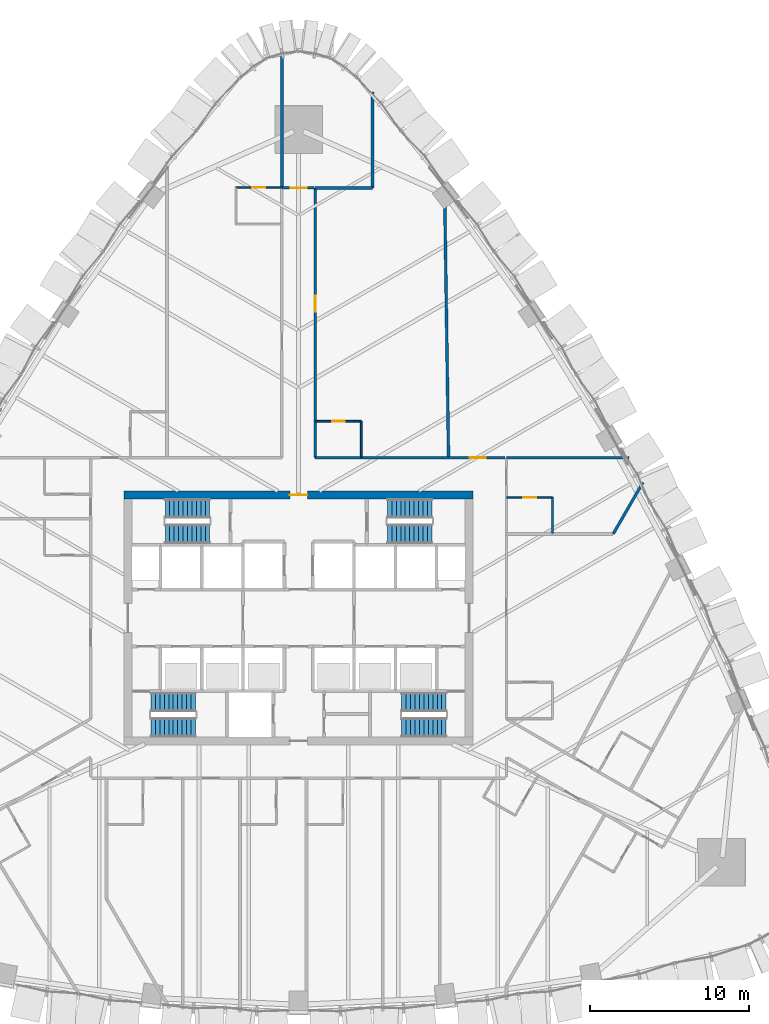
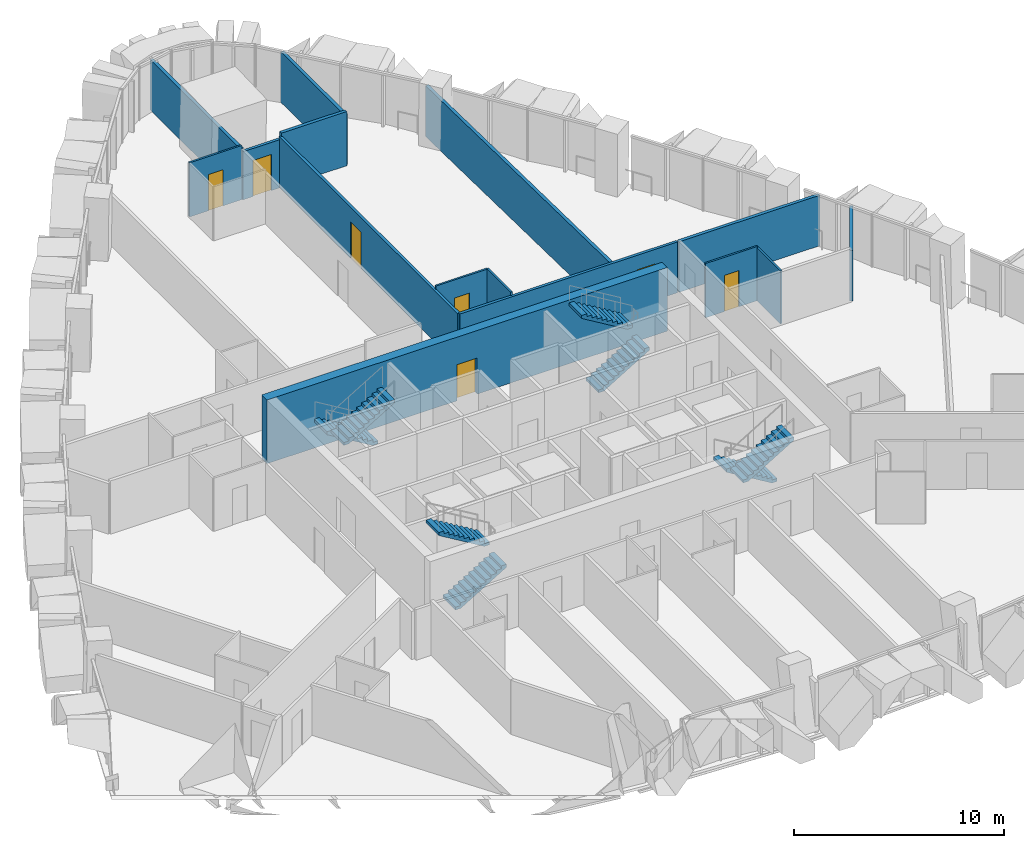
# One storey, part 17 of 22: 15 walls, 8 stair flights, 7 doors, 7 openings, 4 elements without a shape of their own.
"""IFC4 building model written with IfcOpenShell, lengths in metres."""

from ifc_helpers import new_model, si_unit, direction, frame, frame_2d, origin, place, context, subcontext, project, spatial, polyline, rectangle, outline, extrude, material, layer, layer_set, type_object, element, fill, aggregate, save


model = new_model("IFC4")

# Units and contexts
model_context = context("Model", 3, precision=1e-05, world=origin(), true_north=direction((0.0, 1.0)))
body_context = subcontext(model_context, "Body", "Model", "MODEL_VIEW")
ifc_project = project(units=[si_unit("LENGTHUNIT", "METRE"), si_unit("AREAUNIT", "SQUARE_METRE"), si_unit("VOLUMEUNIT", "CUBIC_METRE"), si_unit("PLANEANGLEUNIT", "RADIAN"), si_unit("MASSUNIT", "GRAM", prefix="KILO")], contexts=[model_context])

# Site, building, storey
site_placement = place(None, origin())
site = spatial("IfcSite", under=ifc_project, at=site_placement, CompositionType="ELEMENT")
building_placement = place(site_placement, origin())
building = spatial("IfcBuilding", under=site, at=building_placement, Name="Sierra Prisma Convention Tower", CompositionType="ELEMENT")
storey_placement = place(building_placement, frame((0.0, 0.0, 66.5)))
storey = spatial("IfcBuildingStorey", under=building, at=storey_placement, Name="L12", CompositionType="ELEMENT", Elevation=66.5)

# Wall, opening, door
ifc_material_1 = material(Name="Gypsum board partition", Category="gypsum")
ifc_layer_1 = layer(ifc_material_1, 0.10009765625)
ifc_layer_set_1 = layer_set([ifc_layer_1], Name="Bathroom partition 100")
wall_type_1 = type_object("IfcWallType", Name="Bathroom partition 100", PredefinedType="PARTITIONING", material=ifc_layer_set_1)
wall_1_placement = place(storey_placement, frame((-3.949951171875, 27.12255859375, 0.0), z_axis=(0.0, 0.0, 1.0), x_axis=(1.0, 0.0, 0.0)))
wall_1 = element("IfcWall", 1, at=wall_1_placement, inside=storey, type_object=wall_type_1, Name="Partition L12 bath 17", PredefinedType="PARTITIONING", context=body_context, shape_type="SweptSolid", body=[
    extrude(rectangle(XDim=2.869873046875, YDim=0.10009765625, at=frame_2d((1.43505859375, 0.0))), origin(), (0.0, 0.0, 1.0), 3.14990234375),
])
opening_1_placement = place(wall_1_placement, frame((1.034912109375, 0.0, 0.0)))
opening_1 = element("IfcOpeningElement", 2, at=opening_1_placement, cuts=wall_1, Name="Opening L12-D003", PredefinedType="OPENING", context=body_context, shape_type="SweptSolid", body=[
    extrude(rectangle(XDim=0.800048828125, YDim=2.10009765625, at=frame_2d((0.39990234375, 1.050048828125))), frame((0.0, 0.050048828125, 0.0), z_axis=(0.0, -1.0, 0.0), x_axis=(1.0, 0.0, 0.0)), (0.0, 0.0, 1.0), 0.10009765625),
])
ifc_material_2 = material(Name="Solid core timber door leaf", Category="wood")
door_type_1 = type_object("IfcDoorType", Name="Door 800x2100 plain", OperationType="SINGLE_SWING_LEFT", PredefinedType="DOOR", material=ifc_material_2)
door_1_placement = place(opening_1_placement, origin())
door_1 = element("IfcDoor", 3, at=door_1_placement, inside=storey, type_object=door_type_1, Name="Door L12 8", OperationType="SINGLE_SWING_RIGHT", OverallHeight=2.10009765625, OverallWidth=0.800048828125, PredefinedType="DOOR", context=body_context, shape_type="SweptSolid", body=[
    extrude(rectangle(XDim=0.800048828125, YDim=2.10009765625, at=frame_2d((0.39990234375, 1.050048828125))), frame((0.0, 0.02490234375, 0.0), z_axis=(0.0, -1.0, 0.0), x_axis=(1.0, 0.0, 0.0)), (0.0, 0.0, 1.0), 0.050048828125),
])
fill(opening_1, door_1)

wall_2_placement = place(storey_placement, frame((1.080078125, 12.39990234375, 0.0), z_axis=(0.0, 0.0, 1.0), x_axis=(1.0, 0.0, 0.0)))
wall_2 = element("IfcWall", 4, at=wall_2_placement, inside=storey, type_object=wall_type_1, Name="Partition L12 bath 20", PredefinedType="PARTITIONING", context=body_context, shape_type="SweptSolid", body=[
    extrude(rectangle(XDim=2.869873046875, YDim=0.10009765625, at=frame_2d((1.43505859375, 0.0))), origin(), (0.0, 0.0, 1.0), 3.14990234375),
])
opening_2_placement = place(wall_2_placement, frame((1.034912109375, 0.0, 0.0)))
opening_2 = element("IfcOpeningElement", 5, at=opening_2_placement, cuts=wall_2, Name="Opening L12-D002", PredefinedType="OPENING", context=body_context, shape_type="SweptSolid", body=[
    extrude(rectangle(XDim=0.800048828125, YDim=2.10009765625, at=frame_2d((0.39990234375, 1.050048828125))), frame((0.0, 0.050048828125, 0.0), z_axis=(0.0, -1.0, 0.0), x_axis=(1.0, 0.0, 0.0)), (0.0, 0.0, 1.0), 0.10009765625),
])
door_2_placement = place(opening_2_placement, origin())
door_2 = element("IfcDoor", 6, at=door_2_placement, inside=storey, type_object=door_type_1, Name="Door L12 5", OperationType="SINGLE_SWING_LEFT", OverallHeight=2.10009765625, OverallWidth=0.800048828125, PredefinedType="DOOR", context=body_context, shape_type="SweptSolid", body=[
    extrude(rectangle(XDim=0.800048828125, YDim=2.10009765625, at=frame_2d((0.39990234375, 1.050048828125))), frame((0.0, 0.02490234375, 0.0), z_axis=(0.0, -1.0, 0.0), x_axis=(1.0, 0.0, 0.0)), (0.0, 0.0, 1.0), 0.050048828125),
])
fill(opening_2, door_2)

# Wall
wall_3_placement = place(storey_placement, frame((3.949951171875, 12.39990234375, 0.0), z_axis=(0.0, 0.0, 1.0), x_axis=(0.0, -1.0, 0.0)))
element("IfcWall", 7, at=wall_3_placement, inside=storey, type_object=wall_type_1, Name="Partition L12 bath 21", PredefinedType="PARTITIONING", context=body_context, shape_type="SweptSolid", body=[
    extrude(rectangle(XDim=2.27001953125, YDim=0.10009765625, at=frame_2d((1.135009765625, 0.0))), origin(), (0.0, 0.0, 1.0), 3.14990234375),
])

# Wall, opening, door
wall_4_placement = place(storey_placement, frame((13.1298828125, 7.60009765625, 0.0), z_axis=(0.0, 0.0, 1.0), x_axis=(1.0, 0.0, 0.0)))
wall_4 = element("IfcWall", 8, at=wall_4_placement, inside=storey, type_object=wall_type_1, Name="Partition L12 bath 28", PredefinedType="PARTITIONING", context=body_context, shape_type="SweptSolid", body=[
    extrude(rectangle(XDim=2.8701171875, YDim=0.10009765625, at=frame_2d((1.43505859375, 0.0))), origin(), (0.0, 0.0, 1.0), 3.14990234375),
])
opening_3_placement = place(wall_4_placement, frame((1.034912109375, 0.0, 0.0)))
opening_3 = element("IfcOpeningElement", 9, at=opening_3_placement, cuts=wall_4, Name="Opening L12-D001", PredefinedType="OPENING", context=body_context, shape_type="SweptSolid", body=[
    extrude(rectangle(XDim=0.800048828125, YDim=2.10009765625, at=frame_2d((0.39990234375, 1.050048828125))), frame((0.0, 0.050048828125, 0.0), z_axis=(0.0, -1.0, 0.0), x_axis=(1.0, 0.0, 0.0)), (0.0, 0.0, 1.0), 0.10009765625),
])
door_3_placement = place(opening_3_placement, origin())
door_3 = element("IfcDoor", 10, at=door_3_placement, inside=storey, type_object=door_type_1, Name="Door L12 2", OperationType="SINGLE_SWING_LEFT", OverallHeight=2.10009765625, OverallWidth=0.800048828125, PredefinedType="DOOR", context=body_context, shape_type="SweptSolid", body=[
    extrude(rectangle(XDim=0.800048828125, YDim=2.10009765625, at=frame_2d((0.39990234375, 1.050048828125))), frame((0.0, 0.02490234375, 0.0), z_axis=(0.0, -1.0, 0.0), x_axis=(1.0, 0.0, 0.0)), (0.0, 0.0, 1.0), 0.050048828125),
])
fill(opening_3, door_3)

# Wall
wall_5_placement = place(storey_placement, frame((16.0, 7.60009765625, 0.0), z_axis=(0.0, 0.0, 1.0), x_axis=(0.0, -1.0, 0.0)))
element("IfcWall", 11, at=wall_5_placement, inside=storey, type_object=wall_type_1, Name="Partition L12 bath 29", PredefinedType="PARTITIONING", context=body_context, shape_type="SweptSolid", body=[
    extrude(rectangle(XDim=2.27001953125, YDim=0.10009765625, at=frame_2d((1.135009765625, 0.0))), origin(), (0.0, 0.0, 1.0), 3.093017578125),
])

# Wall, opening, door
ifc_material_3 = material(Name="Concrete C60/75", Category="concrete")
ifc_layer_2 = layer(ifc_material_3, 0.5)
ifc_layer_set_2 = layer_set([ifc_layer_2], Name="Core wall RC 500 C60/75")
wall_type_2 = type_object("IfcWallType", Name="Core wall RC 500 C60/75", PredefinedType="SHEAR", material=ifc_layer_set_2)
wall_6_placement = place(storey_placement, frame((-11.0, 7.75, 0.0), z_axis=(0.0, 0.0, 1.0), x_axis=(1.0, 0.0, 0.0)))
wall_6 = element("IfcWall", 12, at=wall_6_placement, inside=storey, type_object=wall_type_2, Name="Core wall N L12", PredefinedType="SHEAR", context=body_context, shape_type="SweptSolid", body=[
    extrude(rectangle(XDim=22.0, YDim=0.5, at=frame_2d((11.0, 0.0))), origin(), (0.0, 0.0, 1.0), 3.699951171875),
])
opening_4_placement = place(wall_6_placement, frame((10.449951171875, 0.0, 0.0)))
opening_4 = element("IfcOpeningElement", 13, at=opening_4_placement, cuts=wall_6, Name="Opening L12-D062", PredefinedType="OPENING", context=body_context, shape_type="SweptSolid", body=[
    extrude(rectangle(XDim=1.10009765625, YDim=2.10009765625, at=frame_2d((0.550048828125, 1.050048828125))), frame((0.0, 0.25, 0.0), z_axis=(0.0, -1.0, 0.0), x_axis=(1.0, 0.0, 0.0)), (0.0, 0.0, 1.0), 0.5),
])
ifc_material_4 = material(Name="Steel fire door leaf", Category="steel")
door_type_2 = type_object("IfcDoorType", Name="Door 1100x2100 FD60S", OperationType="SINGLE_SWING_LEFT", PredefinedType="DOOR", material=ifc_material_4)
door_4_placement = place(opening_4_placement, origin())
door_4 = element("IfcDoor", 14, at=door_4_placement, inside=storey, type_object=door_type_2, Name="Door L12 63", OperationType="SINGLE_SWING_LEFT", OverallHeight=2.10009765625, OverallWidth=1.10009765625, PredefinedType="DOOR", context=body_context, shape_type="SweptSolid", body=[
    extrude(rectangle(XDim=1.10009765625, YDim=2.10009765625, at=frame_2d((0.550048828125, 1.050048828125))), frame((0.0, 0.02490234375, 0.0), z_axis=(0.0, -1.0, 0.0), x_axis=(1.0, 0.0, 0.0)), (0.0, 0.0, 1.0), 0.050048828125),
])
fill(opening_4, door_4)

ifc_material_5 = material(Name="Gypsum board partition", Category="gypsum")
ifc_layer_3 = layer(ifc_material_5, 0.14990234375)
ifc_layer_set_3 = layer_set([ifc_layer_3], Name="Corridor wall 150 gypsum EI 60")
wall_type_3 = type_object("IfcWallType", Name="Corridor wall 150 gypsum EI 60", PredefinedType="PARTITIONING", material=ifc_layer_set_3)
wall_7_placement = place(storey_placement, frame((0.969970703125, 27.1025390625, 0.0), z_axis=(0.0, 0.0, 1.0), x_axis=(-1.0, 0.0, 0.0)))
wall_7 = element("IfcWall", 15, at=wall_7_placement, inside=storey, type_object=wall_type_3, Name="Partition L12 corr 8", PredefinedType="PARTITIONING", context=body_context, shape_type="SweptSolid", body=[
    extrude(rectangle(XDim=2.02001953125, YDim=0.14990234375, at=frame_2d((1.010009765625, 0.0))), origin(), (0.0, 0.0, 1.0), 2.797119140625),
])
opening_5_placement = place(wall_7_placement, frame((0.4599609375, 0.0, 0.0)))
opening_5 = element("IfcOpeningElement", 16, at=opening_5_placement, cuts=wall_7, Name="Opening L12-D042", PredefinedType="OPENING", context=body_context, shape_type="SweptSolid", body=[
    extrude(rectangle(XDim=1.0, YDim=2.10009765625, at=frame_2d((0.5, 1.050048828125))), frame((0.0, 0.074951171875, 0.0), z_axis=(0.0, -1.0, 0.0), x_axis=(1.0, 0.0, 0.0)), (0.0, 0.0, 1.0), 0.14990234375),
])
ifc_material_6 = material(Name="Steel fire door leaf", Category="steel")
door_type_3 = type_object("IfcDoorType", Name="Door 1000x2100 FD30S", OperationType="SINGLE_SWING_LEFT", PredefinedType="DOOR", material=ifc_material_6)
door_5_placement = place(opening_5_placement, origin())
door_5 = element("IfcDoor", 17, at=door_5_placement, inside=storey, type_object=door_type_3, Name="Door L12 6", OperationType="SINGLE_SWING_RIGHT", OverallHeight=2.10009765625, OverallWidth=1.0, PredefinedType="DOOR", context=body_context, shape_type="SweptSolid", body=[
    extrude(rectangle(XDim=1.0, YDim=2.10009765625, at=frame_2d((0.5, 1.050048828125))), frame((0.0, 0.02490234375, 0.0), z_axis=(0.0, -1.0, 0.0), x_axis=(1.0, 0.0, 0.0)), (0.0, 0.0, 1.0), 0.050048828125),
])
fill(opening_5, door_5)

wall_8_placement = place(storey_placement, frame((13.02001953125, 10.10009765625, 0.0), z_axis=(0.0, 0.0, 1.0), x_axis=(-1.0, 0.0, 0.0)))
wall_8 = element("IfcWall", 18, at=wall_8_placement, inside=storey, type_object=wall_type_3, Name="Partition L12 corr 11", PredefinedType="PARTITIONING", context=body_context, shape_type="SweptSolid", body=[
    extrude(rectangle(XDim=11.969970703125, YDim=0.14990234375, at=frame_2d((5.98486328125, 0.0))), origin(), (0.0, 0.0, 1.0), 2.947021484375),
])
opening_6_placement = place(wall_8_placement, frame((1.235107421875, 0.0, 0.0)))
opening_6 = element("IfcOpeningElement", 19, at=opening_6_placement, cuts=wall_8, Name="Opening L12-D040", PredefinedType="OPENING", context=body_context, shape_type="SweptSolid", body=[
    extrude(rectangle(XDim=1.0, YDim=2.10009765625, at=frame_2d((0.5, 1.050048828125))), frame((0.0, 0.074951171875, 0.0), z_axis=(0.0, -1.0, 0.0), x_axis=(1.0, 0.0, 0.0)), (0.0, 0.0, 1.0), 0.14990234375),
])
door_6_placement = place(opening_6_placement, origin())
door_6 = element("IfcDoor", 20, at=door_6_placement, inside=storey, type_object=door_type_3, Name="Door L12 3", OperationType="SINGLE_SWING_LEFT", OverallHeight=2.10009765625, OverallWidth=1.0, PredefinedType="DOOR", context=body_context, shape_type="SweptSolid", body=[
    extrude(rectangle(XDim=1.0, YDim=2.10009765625, at=frame_2d((0.5, 1.050048828125))), frame((0.0, 0.02490234375, 0.0), z_axis=(0.0, -1.0, 0.0), x_axis=(1.0, 0.0, 0.0)), (0.0, 0.0, 1.0), 0.050048828125),
])
fill(opening_6, door_6)

wall_9_placement = place(storey_placement, frame((1.050048828125, 10.10009765625, 0.0), z_axis=(0.0, 0.0, 1.0), x_axis=(0.0, 1.0, 0.0)))
wall_9 = element("IfcWall", 21, at=wall_9_placement, inside=storey, type_object=wall_type_3, Name="Partition L12 corr 12", PredefinedType="PARTITIONING", context=body_context, shape_type="SweptSolid", body=[
    extrude(rectangle(XDim=17.00244140625, YDim=0.14990234375, at=frame_2d((8.501220703125, 0.0))), origin(), (0.0, 0.0, 1.0), 2.947021484375),
])
opening_7_placement = place(wall_9_placement, frame((9.201416015625, 0.0, 0.0)))
opening_7 = element("IfcOpeningElement", 22, at=opening_7_placement, cuts=wall_9, Name="Opening L12-D041", PredefinedType="OPENING", context=body_context, shape_type="SweptSolid", body=[
    extrude(rectangle(XDim=1.0, YDim=2.10009765625, at=frame_2d((0.5, 1.050048828125))), frame((0.0, 0.074951171875, 0.0), z_axis=(0.0, -1.0, 0.0), x_axis=(1.0, 0.0, 0.0)), (0.0, 0.0, 1.0), 0.14990234375),
])
door_7_placement = place(opening_7_placement, origin())
door_7 = element("IfcDoor", 23, at=door_7_placement, inside=storey, type_object=door_type_3, Name="Door L12 4", OperationType="SINGLE_SWING_RIGHT", OverallHeight=2.10009765625, OverallWidth=1.0, PredefinedType="DOOR", context=body_context, shape_type="SweptSolid", body=[
    extrude(rectangle(XDim=1.0, YDim=2.10009765625, at=frame_2d((0.5, 1.050048828125))), frame((0.0, 0.02490234375, 0.0), z_axis=(0.0, -1.0, 0.0), x_axis=(1.0, 0.0, 0.0)), (0.0, 0.0, 1.0), 0.050048828125),
])
fill(opening_7, door_7)

# Walls
ifc_material_7 = material(Name="Acoustic gypsum board partition", Category="gypsum")
ifc_layer_4 = layer(ifc_material_7, 0.175048828125)
ifc_layer_set_4 = layer_set([ifc_layer_4], Name="Guest room party wall 175 acoustic EI 60")
wall_type_4 = type_object("IfcWallType", Name="Guest room party wall 175 acoustic EI 60", PredefinedType="PARTITIONING", material=ifc_layer_set_4)
wall_10_placement = place(storey_placement, frame((-1.050048828125, 35.710205078125, 0.0), z_axis=(0.0, 0.0, 1.0), x_axis=(0.0, -1.0, 0.0)))
element("IfcWall", 24, at=wall_10_placement, inside=storey, type_object=wall_type_4, Name="Partition L12 hparty 13", PredefinedType="PARTITIONING", context=body_context, shape_type="SweptSolid", body=[
    extrude(rectangle(XDim=8.607666015625, YDim=0.175048828125, at=frame_2d((4.3037109375, 0.0))), origin(), (0.0, 0.0, 1.0), 2.93408203125),
])
wall_11_placement = place(storey_placement, frame((1.050048828125, 27.1025390625, 0.0), z_axis=(0.0, 0.0, 1.0), x_axis=(1.0, 0.0, 0.0)))
element("IfcWall", 25, at=wall_11_placement, inside=storey, type_object=wall_type_4, Name="Partition L12 hparty 15", PredefinedType="PARTITIONING", context=body_context, shape_type="SweptSolid", body=[
    extrude(rectangle(XDim=3.599853515625, YDim=0.175048828125, at=frame_2d((1.7998046875, 0.0))), origin(), (0.0, 0.0, 1.0), 3.14990234375),
])
wall_12_placement = place(storey_placement, frame((4.64990234375, 27.1025390625, 0.0), z_axis=(0.0, 0.0, 1.0), x_axis=(0.0, 1.0, 0.0)))
element("IfcWall", 26, at=wall_12_placement, inside=storey, type_object=wall_type_4, Name="Partition L12 hparty 16", PredefinedType="PARTITIONING", context=body_context, shape_type="SweptSolid", body=[
    extrude(rectangle(XDim=6.049072265625, YDim=0.175048828125, at=frame_2d((3.0244140625, 0.0))), origin(), (0.0, 0.0, 1.0), 2.93408203125),
])
wall_13_placement = place(storey_placement, frame((9.1982421875, 27.2646484375, 0.0), z_axis=(0.0, 0.0, 1.0), x_axis=(0.014662890242, -0.999892494046, 0.0)))
element("IfcWall", 27, at=wall_13_placement, inside=storey, type_object=wall_type_4, Name="Partition L12 hparty 19", PredefinedType="PARTITIONING", context=body_context, shape_type="SweptSolid", body=[
    extrude(rectangle(XDim=17.16650390625, YDim=0.175048828125, at=frame_2d((8.583251953125, 0.0))), origin(), (0.0, 0.0, 1.0), 2.947021484375),
])
wall_14_placement = place(storey_placement, frame((21.697998046875, 8.54150390625, 0.0), z_axis=(0.0, 0.0, 1.0), x_axis=(-0.499976540837, -0.866038947515, 0.0)))
element("IfcWall", 28, at=wall_14_placement, inside=storey, type_object=wall_type_4, Name="Partition L12 hparty 22", PredefinedType="PARTITIONING", context=body_context, shape_type="SweptSolid", body=[
    extrude(rectangle(XDim=3.742919921875, YDim=0.175048828125, at=frame_2d((1.87158203125, 0.0))), origin(), (0.0, 0.0, 1.0), 2.93408203125),
])
wall_15_placement = place(storey_placement, frame((13.10009765625, 10.10009765625, 0.0), z_axis=(0.0, 0.0, 1.0), x_axis=(1.0, 0.0, 0.0)))
element("IfcWall", 29, at=wall_15_placement, inside=storey, type_object=wall_type_4, Name="Partition L12 hparty 24", PredefinedType="PARTITIONING", context=body_context, shape_type="SweptSolid", body=[
    extrude(rectangle(XDim=7.734619140625, YDim=0.175048828125, at=frame_2d((3.8671875, 0.0))), origin(), (0.0, 0.0, 1.0), 2.93408203125),
])

# Stair, stair flights
ifc_material_8 = material(Name="Concrete C30/37", Category="concrete")
stair_type = type_object("IfcStairType", Name="Stair dog-leg 1200 RC", PredefinedType="HALF_TURN_STAIR", material=ifc_material_8)
stair_1_placement = place(storey_placement, origin())
stair_1 = element("IfcStair", 30, at=stair_1_placement, inside=storey, type_object=stair_type, Name="L12 S1", PredefinedType="HALF_TURN_STAIR")
ifc_material_9 = material(Name="Concrete C30/37", Category="concrete")
stair_flight_type = type_object("IfcStairFlightType", Name="Stair flight RC 1200", PredefinedType="STRAIGHT", material=ifc_material_9)
stair_flight_1_placement = place(storey_placement, frame((-9.300048828125, -6.89990234375, 0.0), z_axis=(0.0, 0.0, 1.0), x_axis=(1.0, 0.0, 0.0)))
stair_flight_1 = element("IfcStairFlight", 31, at=stair_flight_1_placement, type_object=stair_flight_type, Name="S1 flight 1", NumberOfRisers=11, NumberOfTreads=10, PredefinedType="STRAIGHT", RiserHeight=0.168181818, TreadLength=0.28, context=body_context, shape_type="SweptSolid", body=[
    extrude(outline(polyline([(0.0, 0.0), (0.0, 0.168212890625), (0.280029296875, 0.168212890625), (0.280029296875, 0.33642578125), (0.56005859375, 0.33642578125), (0.56005859375, 0.504638671875), (0.840087890625, 0.504638671875), (0.840087890625, 0.672607421875), (1.1201171875, 0.672607421875), (1.1201171875, 0.8408203125), (1.39990234375, 0.8408203125), (1.39990234375, 1.009033203125), (1.679931640625, 1.009033203125), (1.679931640625, 1.17724609375), (1.9599609375, 1.17724609375), (1.9599609375, 1.345458984375), (2.239990234375, 1.345458984375), (2.239990234375, 1.513671875), (2.52001953125, 1.513671875), (2.52001953125, 1.681884765625), (2.800048828125, 1.681884765625), (2.800048828125, 1.85009765625), (2.800048828125, 1.5068359375), (0.291015625, 0.0), (0.0, 0.0)])), frame((0.0, 0.60009765625, 0.0), z_axis=(0.0, -1.0, 0.0), x_axis=(1.0, 0.0, 0.0)), (0.0, 0.0, 1.0), 1.199951171875),
])
stair_flight_2_placement = place(storey_placement, frame((-6.5, -5.300048828125, 1.85009765625), z_axis=(0.0, 0.0, 1.0), x_axis=(-1.0, 0.0, 0.0)))
stair_flight_2 = element("IfcStairFlight", 32, at=stair_flight_2_placement, type_object=stair_flight_type, Name="S1 flight 2", NumberOfRisers=11, NumberOfTreads=10, PredefinedType="STRAIGHT", RiserHeight=0.168181818, TreadLength=0.28, context=body_context, shape_type="SweptSolid", body=[
    extrude(outline(polyline([(0.0, 0.0), (0.0, 0.168212890625), (0.280029296875, 0.168212890625), (0.280029296875, 0.33642578125), (0.56005859375, 0.33642578125), (0.56005859375, 0.504638671875), (0.840087890625, 0.504638671875), (0.840087890625, 0.672607421875), (1.1201171875, 0.672607421875), (1.1201171875, 0.8408203125), (1.39990234375, 0.8408203125), (1.39990234375, 1.009033203125), (1.679931640625, 1.009033203125), (1.679931640625, 1.17724609375), (1.9599609375, 1.17724609375), (1.9599609375, 1.345458984375), (2.239990234375, 1.345458984375), (2.239990234375, 1.513671875), (2.52001953125, 1.513671875), (2.52001953125, 1.681884765625), (2.800048828125, 1.681884765625), (2.800048828125, 1.85009765625), (2.800048828125, 1.5068359375), (0.291015625, 0.0), (0.0, 0.0)])), frame((0.0, 0.60009765625, 0.0), z_axis=(0.0, -1.0, 0.0), x_axis=(1.0, 0.0, 0.0)), (0.0, 0.0, 1.0), 1.199951171875),
])
aggregate(stair_1, [stair_flight_1, stair_flight_2])

stair_2_placement = place(storey_placement, origin())
stair_2 = element("IfcStair", 33, at=stair_2_placement, inside=storey, type_object=stair_type, Name="L12 S2", PredefinedType="HALF_TURN_STAIR")
stair_flight_3_placement = place(storey_placement, frame((9.300048828125, -5.300048828125, 0.0), z_axis=(0.0, 0.0, 1.0), x_axis=(-1.0, 0.0, 0.0)))
stair_flight_3 = element("IfcStairFlight", 34, at=stair_flight_3_placement, type_object=stair_flight_type, Name="S2 flight 1", NumberOfRisers=11, NumberOfTreads=10, PredefinedType="STRAIGHT", RiserHeight=0.168181818, TreadLength=0.28, context=body_context, shape_type="SweptSolid", body=[
    extrude(outline(polyline([(0.0, 0.0), (0.0, 0.168212890625), (0.280029296875, 0.168212890625), (0.280029296875, 0.33642578125), (0.56005859375, 0.33642578125), (0.56005859375, 0.504638671875), (0.840087890625, 0.504638671875), (0.840087890625, 0.672607421875), (1.1201171875, 0.672607421875), (1.1201171875, 0.8408203125), (1.39990234375, 0.8408203125), (1.39990234375, 1.009033203125), (1.679931640625, 1.009033203125), (1.679931640625, 1.17724609375), (1.9599609375, 1.17724609375), (1.9599609375, 1.345458984375), (2.239990234375, 1.345458984375), (2.239990234375, 1.513671875), (2.52001953125, 1.513671875), (2.52001953125, 1.681884765625), (2.800048828125, 1.681884765625), (2.800048828125, 1.85009765625), (2.800048828125, 1.5068359375), (0.291015625, 0.0), (0.0, 0.0)])), frame((0.0, 0.60009765625, 0.0), z_axis=(0.0, -1.0, 0.0), x_axis=(1.0, 0.0, 0.0)), (0.0, 0.0, 1.0), 1.199951171875),
])
stair_flight_4_placement = place(storey_placement, frame((6.5, -6.89990234375, 1.85009765625), z_axis=(0.0, 0.0, 1.0), x_axis=(1.0, 0.0, 0.0)))
stair_flight_4 = element("IfcStairFlight", 35, at=stair_flight_4_placement, type_object=stair_flight_type, Name="S2 flight 2", NumberOfRisers=11, NumberOfTreads=10, PredefinedType="STRAIGHT", RiserHeight=0.168181818, TreadLength=0.28, context=body_context, shape_type="SweptSolid", body=[
    extrude(outline(polyline([(0.0, 0.0), (0.0, 0.168212890625), (0.280029296875, 0.168212890625), (0.280029296875, 0.33642578125), (0.56005859375, 0.33642578125), (0.56005859375, 0.504638671875), (0.840087890625, 0.504638671875), (0.840087890625, 0.672607421875), (1.1201171875, 0.672607421875), (1.1201171875, 0.8408203125), (1.39990234375, 0.8408203125), (1.39990234375, 1.009033203125), (1.679931640625, 1.009033203125), (1.679931640625, 1.17724609375), (1.9599609375, 1.17724609375), (1.9599609375, 1.345458984375), (2.239990234375, 1.345458984375), (2.239990234375, 1.513671875), (2.52001953125, 1.513671875), (2.52001953125, 1.681884765625), (2.800048828125, 1.681884765625), (2.800048828125, 1.85009765625), (2.800048828125, 1.5068359375), (0.291015625, 0.0), (0.0, 0.0)])), frame((0.0, 0.60009765625, 0.0), z_axis=(0.0, -1.0, 0.0), x_axis=(1.0, 0.0, 0.0)), (0.0, 0.0, 1.0), 1.199951171875),
])
aggregate(stair_2, [stair_flight_3, stair_flight_4])

stair_3_placement = place(storey_placement, origin())
stair_3 = element("IfcStair", 36, at=stair_3_placement, inside=storey, type_object=stair_type, Name="L12 S3", PredefinedType="HALF_TURN_STAIR")
stair_flight_5_placement = place(storey_placement, frame((-5.60009765625, 6.89990234375, 0.0), z_axis=(0.0, 0.0, 1.0), x_axis=(-1.0, 0.0, 0.0)))
stair_flight_5 = element("IfcStairFlight", 37, at=stair_flight_5_placement, type_object=stair_flight_type, Name="S3 flight 1", NumberOfRisers=11, NumberOfTreads=10, PredefinedType="STRAIGHT", RiserHeight=0.168181818, TreadLength=0.28, context=body_context, shape_type="SweptSolid", body=[
    extrude(outline(polyline([(0.0, 0.0), (0.0, 0.168212890625), (0.280029296875, 0.168212890625), (0.280029296875, 0.33642578125), (0.56005859375, 0.33642578125), (0.56005859375, 0.504638671875), (0.840087890625, 0.504638671875), (0.840087890625, 0.672607421875), (1.1201171875, 0.672607421875), (1.1201171875, 0.8408203125), (1.39990234375, 0.8408203125), (1.39990234375, 1.009033203125), (1.679931640625, 1.009033203125), (1.679931640625, 1.17724609375), (1.9599609375, 1.17724609375), (1.9599609375, 1.345458984375), (2.239990234375, 1.345458984375), (2.239990234375, 1.513671875), (2.52001953125, 1.513671875), (2.52001953125, 1.681884765625), (2.800048828125, 1.681884765625), (2.800048828125, 1.85009765625), (2.800048828125, 1.5068359375), (0.291015625, 0.0), (0.0, 0.0)])), frame((0.0, 0.60009765625, 0.0), z_axis=(0.0, -1.0, 0.0), x_axis=(1.0, 0.0, 0.0)), (0.0, 0.0, 1.0), 1.199951171875),
])
stair_flight_6_placement = place(storey_placement, frame((-8.39990234375, 5.300048828125, 1.85009765625), z_axis=(0.0, 0.0, 1.0), x_axis=(1.0, 0.0, 0.0)))
stair_flight_6 = element("IfcStairFlight", 38, at=stair_flight_6_placement, type_object=stair_flight_type, Name="S3 flight 2", NumberOfRisers=11, NumberOfTreads=10, PredefinedType="STRAIGHT", RiserHeight=0.168181818, TreadLength=0.28, context=body_context, shape_type="SweptSolid", body=[
    extrude(outline(polyline([(0.0, 0.0), (0.0, 0.168212890625), (0.280029296875, 0.168212890625), (0.280029296875, 0.33642578125), (0.56005859375, 0.33642578125), (0.56005859375, 0.504638671875), (0.840087890625, 0.504638671875), (0.840087890625, 0.672607421875), (1.1201171875, 0.672607421875), (1.1201171875, 0.8408203125), (1.39990234375, 0.8408203125), (1.39990234375, 1.009033203125), (1.679931640625, 1.009033203125), (1.679931640625, 1.17724609375), (1.9599609375, 1.17724609375), (1.9599609375, 1.345458984375), (2.239990234375, 1.345458984375), (2.239990234375, 1.513671875), (2.52001953125, 1.513671875), (2.52001953125, 1.681884765625), (2.800048828125, 1.681884765625), (2.800048828125, 1.85009765625), (2.800048828125, 1.5068359375), (0.291015625, 0.0), (0.0, 0.0)])), frame((0.0, 0.60009765625, 0.0), z_axis=(0.0, -1.0, 0.0), x_axis=(1.0, 0.0, 0.0)), (0.0, 0.0, 1.0), 1.199951171875),
])
aggregate(stair_3, [stair_flight_5, stair_flight_6])

stair_4_placement = place(storey_placement, origin())
stair_4 = element("IfcStair", 39, at=stair_4_placement, inside=storey, type_object=stair_type, Name="L12 S4", PredefinedType="HALF_TURN_STAIR")
stair_flight_7_placement = place(storey_placement, frame((5.60009765625, 5.300048828125, 0.0), z_axis=(0.0, 0.0, 1.0), x_axis=(1.0, 0.0, 0.0)))
stair_flight_7 = element("IfcStairFlight", 40, at=stair_flight_7_placement, type_object=stair_flight_type, Name="S4 flight 1", NumberOfRisers=11, NumberOfTreads=10, PredefinedType="STRAIGHT", RiserHeight=0.168181818, TreadLength=0.28, context=body_context, shape_type="SweptSolid", body=[
    extrude(outline(polyline([(0.0, 0.0), (0.0, 0.168212890625), (0.280029296875, 0.168212890625), (0.280029296875, 0.33642578125), (0.56005859375, 0.33642578125), (0.56005859375, 0.504638671875), (0.840087890625, 0.504638671875), (0.840087890625, 0.672607421875), (1.1201171875, 0.672607421875), (1.1201171875, 0.8408203125), (1.39990234375, 0.8408203125), (1.39990234375, 1.009033203125), (1.679931640625, 1.009033203125), (1.679931640625, 1.17724609375), (1.9599609375, 1.17724609375), (1.9599609375, 1.345458984375), (2.239990234375, 1.345458984375), (2.239990234375, 1.513671875), (2.52001953125, 1.513671875), (2.52001953125, 1.681884765625), (2.800048828125, 1.681884765625), (2.800048828125, 1.85009765625), (2.800048828125, 1.5068359375), (0.291015625, 0.0), (0.0, 0.0)])), frame((0.0, 0.60009765625, 0.0), z_axis=(0.0, -1.0, 0.0), x_axis=(1.0, 0.0, 0.0)), (0.0, 0.0, 1.0), 1.199951171875),
])
stair_flight_8_placement = place(storey_placement, frame((8.39990234375, 6.89990234375, 1.85009765625), z_axis=(0.0, 0.0, 1.0), x_axis=(-1.0, 0.0, 0.0)))
stair_flight_8 = element("IfcStairFlight", 41, at=stair_flight_8_placement, type_object=stair_flight_type, Name="S4 flight 2", NumberOfRisers=11, NumberOfTreads=10, PredefinedType="STRAIGHT", RiserHeight=0.168181818, TreadLength=0.28, context=body_context, shape_type="SweptSolid", body=[
    extrude(outline(polyline([(0.0, 0.0), (0.0, 0.168212890625), (0.280029296875, 0.168212890625), (0.280029296875, 0.33642578125), (0.56005859375, 0.33642578125), (0.56005859375, 0.504638671875), (0.840087890625, 0.504638671875), (0.840087890625, 0.672607421875), (1.1201171875, 0.672607421875), (1.1201171875, 0.8408203125), (1.39990234375, 0.8408203125), (1.39990234375, 1.009033203125), (1.679931640625, 1.009033203125), (1.679931640625, 1.17724609375), (1.9599609375, 1.17724609375), (1.9599609375, 1.345458984375), (2.239990234375, 1.345458984375), (2.239990234375, 1.513671875), (2.52001953125, 1.513671875), (2.52001953125, 1.681884765625), (2.800048828125, 1.681884765625), (2.800048828125, 1.85009765625), (2.800048828125, 1.5068359375), (0.291015625, 0.0), (0.0, 0.0)])), frame((0.0, 0.60009765625, 0.0), z_axis=(0.0, -1.0, 0.0), x_axis=(1.0, 0.0, 0.0)), (0.0, 0.0, 1.0), 1.199951171875),
])
aggregate(stair_4, [stair_flight_7, stair_flight_8])

save(model, "model.ifc")
